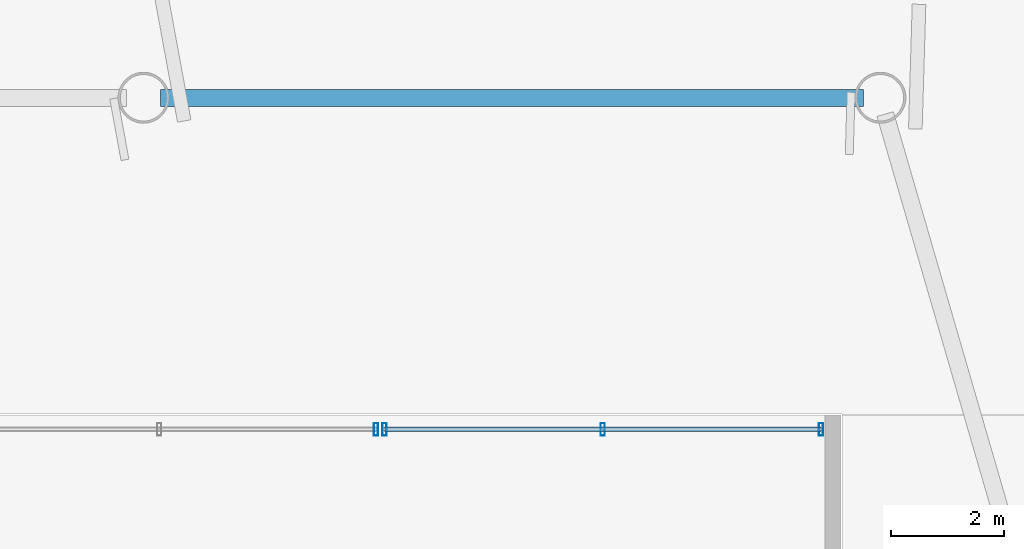
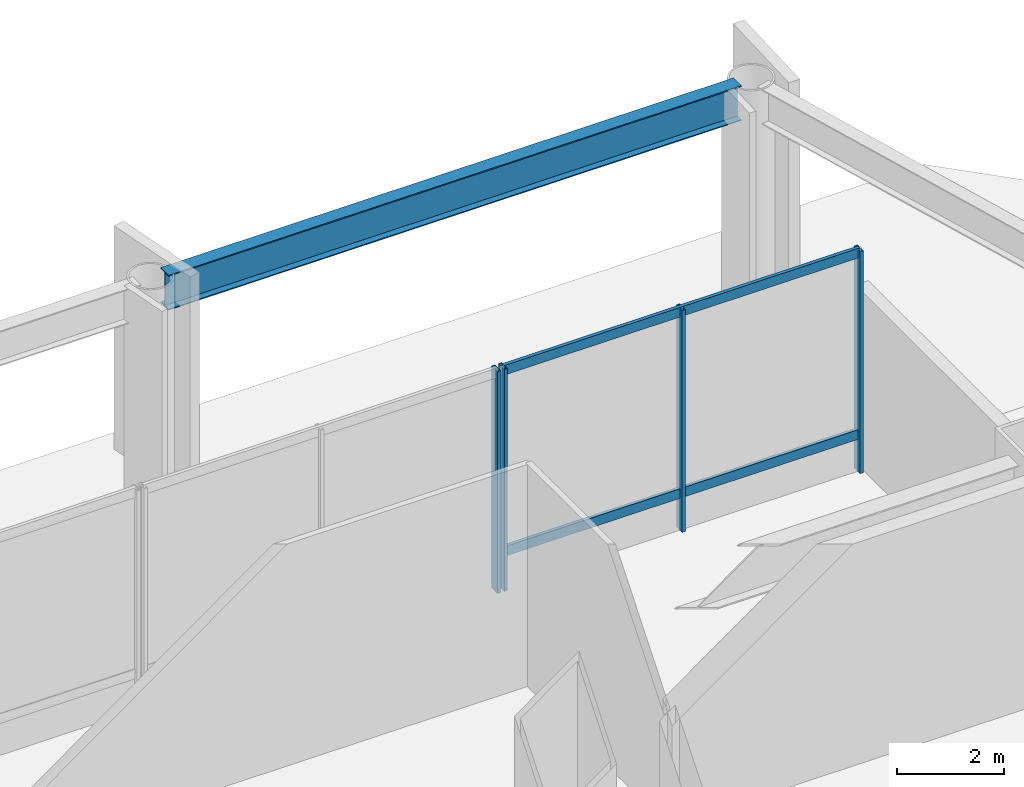
# One storey, part 9 of 19: 6 members, 1 beam, 2 elements without a shape of their own.
"""IFC4 building model written with IfcOpenShell, lengths in metres."""

from ifc_helpers import new_model, si_unit, direction, frame, origin, origin_2d, place, context, subcontext, project, spatial, hollow_rectangle, i_section, extrude, source, transform, mapped, material, material_profile, profile_set, type_object, type_shapes, element, aggregate, save


model = new_model("IFC4")

# Units and contexts
model_context = context("Model", 3, precision=1e-05, world=origin(), true_north=direction((0.0, 1.0)))
body_context = subcontext(model_context, "Body", "Model", "MODEL_VIEW")
ifc_project = project(units=[si_unit("LENGTHUNIT", "METRE"), si_unit("AREAUNIT", "SQUARE_METRE"), si_unit("VOLUMEUNIT", "CUBIC_METRE"), si_unit("PLANEANGLEUNIT", "RADIAN"), si_unit("MASSUNIT", "GRAM", prefix="KILO")], contexts=[model_context])

# Site, building, storey
site_placement = place(None, origin())
site = spatial("IfcSite", under=ifc_project, at=site_placement, CompositionType="ELEMENT")
building_placement = place(site_placement, origin())
building = spatial("IfcBuilding", under=site, at=building_placement, Name="Caelisora Broadcast Tower", CompositionType="ELEMENT")
storey_placement = place(building_placement, origin())
storey = spatial("IfcBuildingStorey", under=building, at=storey_placement, Name="L00", CompositionType="ELEMENT", Elevation=0.0)

# Beam
ifc_material_1 = material(Name="Steel Grade 350 (AS/NZS 3679.2)", Category="steel")
ifc_material_profile_1 = material_profile(ifc_material_1, i_section(OverallWidth=0.300048828125, OverallDepth=0.800048828125, WebThickness=0.013916015625, FlangeThickness=0.02392578125, at=origin_2d()), Name="Steel Grade 350 (AS/NZS 3679.2)")
ifc_profile_set_1 = profile_set([ifc_material_profile_1], Name="Steel Grade 350 (AS/NZS 3679.2)")
beam_type = type_object("IfcBeamType", Name="PG02", PredefinedType="BEAM", material=ifc_profile_set_1)
shared_shape_1 = source(origin(), body_context, "Body", "SweptSolid", [
    extrude(i_section(OverallWidth=0.300048828125, OverallDepth=0.800048828125, WebThickness=0.013916015625, FlangeThickness=0.02392578125, at=origin_2d()), origin(), (0.0, 0.0, 1.0), 12.39990234375),
])
type_shapes(beam_type, [shared_shape_1])
beam_placement = place(storey_placement, frame((62.800048828125, 55.800048828125, 4.679931640625), z_axis=(1.0, 0.0, 0.0), x_axis=(0.0, 1.0, 0.0)))
element("IfcBeam", 1, at=beam_placement, inside=storey, type_object=beam_type, Name="L00 beam PG02", PredefinedType="BEAM", context=body_context, shape_type="MappedRepresentation", body=[
    mapped(shared_shape_1, transform((0.0, 0.0, 0.0), scale=1.0)),
])

# Curtain wall, member
ifc_material_2 = material(Name="Unitised Aluminium and Low-E Glass Curtain Wall", Category="glass")
curtain_wall_type = type_object("IfcCurtainWallType", Name="CW-COL", PredefinedType="NOTDEFINED", material=ifc_material_2)
curtain_wall_1_placement = place(storey_placement, origin())
curtain_wall_1 = element("IfcCurtainWall", 2, at=curtain_wall_1_placement, inside=storey, type_object=curtain_wall_type, Name="L00 curtain wall CW-COL", PredefinedType="NOTDEFINED")
ifc_material_3 = material(Name="Aluminium 6063-T6 Anodised Terracotta Bronze", Category="aluminium")
ifc_material_profile_2 = material_profile(ifc_material_3, hollow_rectangle(XDim=0.074951171875, YDim=0.219970703125, WallThickness=0.00390625, at=origin_2d()), Name="Aluminium 6063-T6 Anodised Terracotta Bronze")
ifc_profile_set_2 = profile_set([ifc_material_profile_2], Name="Aluminium 6063-T6 Anodised Terracotta Bronze")
member_type_1 = type_object("IfcMemberType", Name="CWM-01", PredefinedType="MULLION", material=ifc_profile_set_2)
shared_shape_2 = source(origin(), body_context, "Body", "SweptSolid", [
    extrude(hollow_rectangle(XDim=0.074951171875, YDim=0.219970703125, WallThickness=0.00390625, at=origin_2d()), origin(), (0.0, 0.0, 1.0), 5.080078125),
])
type_shapes(member_type_1, [shared_shape_2])
member_1_placement = place(storey_placement, frame((66.60009765625, 49.949951171875, 0.0), z_axis=(0.0, 0.0, 1.0), x_axis=(1.0, 0.0, 0.0)))
member_1 = element("IfcMember", 3, at=member_1_placement, type_object=member_type_1, Name="L00-CW-COL-5 mullion #2", PredefinedType="MULLION", context=body_context, shape_type="MappedRepresentation", body=[
    mapped(shared_shape_2, transform((0.0, 0.0, 0.0), scale=1.0)),
])
aggregate(curtain_wall_1, [member_1])

# Curtain wall, members
curtain_wall_2_placement = place(storey_placement, origin())
curtain_wall_2 = element("IfcCurtainWall", 4, at=curtain_wall_2_placement, inside=storey, type_object=curtain_wall_type, Name="L00 curtain wall CW-COL", PredefinedType="NOTDEFINED")
member_2_placement = place(storey_placement, frame((66.75, 49.949951171875, 0.0), z_axis=(0.0, 0.0, 1.0), x_axis=(1.0, 0.0, 0.0)))
member_2 = element("IfcMember", 5, at=member_2_placement, type_object=member_type_1, Name="L00-CW-COL-6 mullion #0", PredefinedType="MULLION", context=body_context, shape_type="MappedRepresentation", body=[
    mapped(shared_shape_2, transform((0.0, 0.0, 0.0), scale=1.0)),
])
member_3_placement = place(storey_placement, frame((70.60009765625, 49.949951171875, 0.0), z_axis=(0.0, 0.0, 1.0), x_axis=(1.0, 0.0, 0.0)))
member_3 = element("IfcMember", 6, at=member_3_placement, type_object=member_type_1, Name="L00-CW-COL-6 mullion #1", PredefinedType="MULLION", context=body_context, shape_type="MappedRepresentation", body=[
    mapped(shared_shape_2, transform((0.0, 0.0, 0.0), scale=1.0)),
])
member_4_placement = place(storey_placement, frame((74.449951171875, 49.949951171875, 0.0), z_axis=(0.0, 0.0, 1.0), x_axis=(1.0, 0.0, 0.0)))
member_4 = element("IfcMember", 7, at=member_4_placement, type_object=member_type_1, Name="L00-CW-COL-6 mullion #2", PredefinedType="MULLION", context=body_context, shape_type="MappedRepresentation", body=[
    mapped(shared_shape_2, transform((0.0, 0.0, 0.0), scale=1.0)),
])
ifc_material_profile_3 = material_profile(ifc_material_3, hollow_rectangle(XDim=0.074951171875, YDim=0.219970703125, WallThickness=0.00390625, at=origin_2d()), Name="Aluminium 6063-T6 Anodised Terracotta Bronze")
ifc_profile_set_3 = profile_set([ifc_material_profile_3], Name="Aluminium 6063-T6 Anodised Terracotta Bronze")
member_type_2 = type_object("IfcMemberType", Name="CWT-04", PredefinedType="USERDEFINED", material=ifc_profile_set_3)
shared_shape_3 = source(origin(), body_context, "Body", "SweptSolid", [
    extrude(hollow_rectangle(XDim=0.074951171875, YDim=0.219970703125, WallThickness=0.00390625, at=origin_2d()), origin(), (0.0, 0.0, 1.0), 7.699951171875),
])
type_shapes(member_type_2, [shared_shape_3])
member_5_placement = place(storey_placement, frame((66.75, 49.949951171875, 0.85009765625), z_axis=(1.0, 0.0, 0.0), x_axis=(0.0, 1.0, 0.0)))
member_5 = element("IfcMember", 8, at=member_5_placement, type_object=member_type_2, Name="L00-CW-COL-6 transom #1", ObjectType="TRANSOM", PredefinedType="USERDEFINED", context=body_context, shape_type="MappedRepresentation", body=[
    mapped(shared_shape_3, transform((0.0, 0.0, 0.0), scale=1.0)),
])
member_6_placement = place(storey_placement, frame((66.75, 49.949951171875, 5.0), z_axis=(1.0, 0.0, 0.0), x_axis=(0.0, 1.0, 0.0)))
member_6 = element("IfcMember", 9, at=member_6_placement, type_object=member_type_2, Name="L00-CW-COL-6 transom #2", ObjectType="TRANSOM", PredefinedType="USERDEFINED", context=body_context, shape_type="MappedRepresentation", body=[
    mapped(shared_shape_3, transform((0.0, 0.0, 0.0), scale=1.0)),
])
aggregate(curtain_wall_2, [member_2, member_3, member_4, member_5, member_6])

save(model, "model.ifc")
